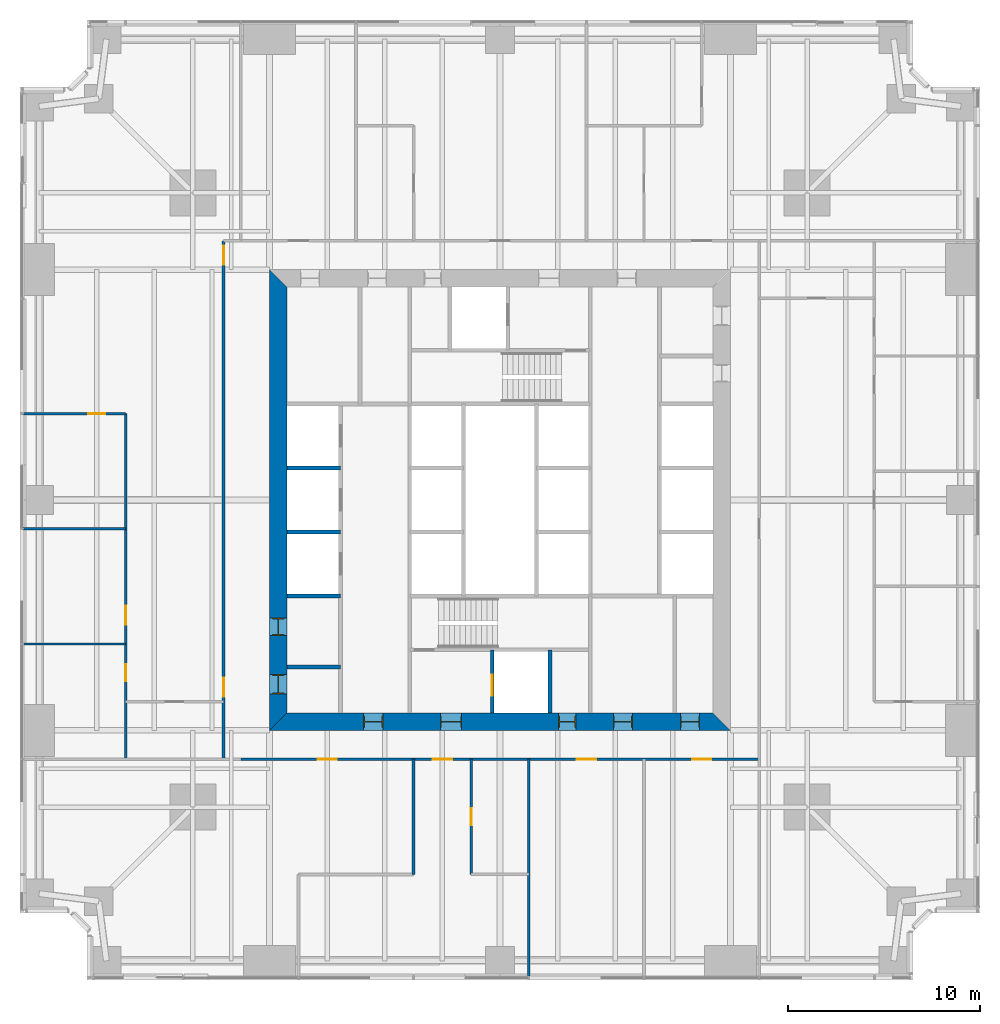
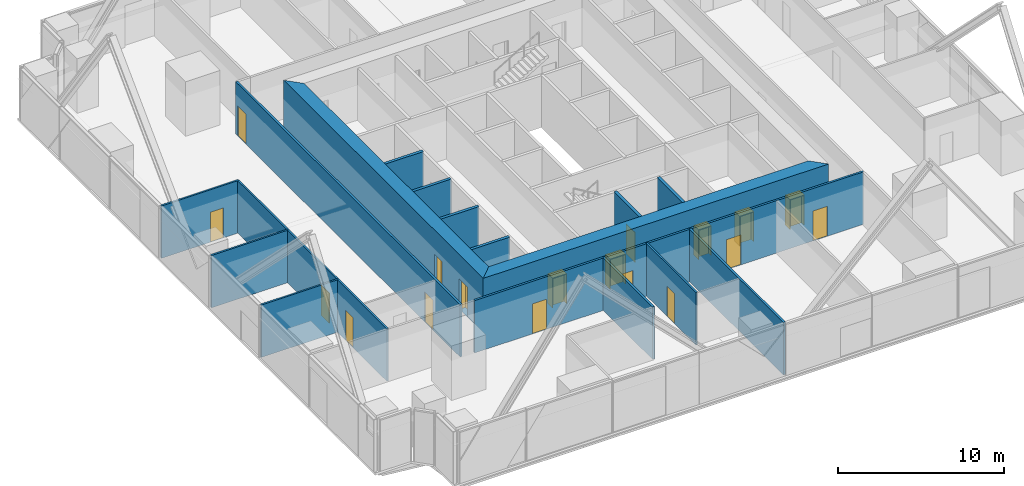
# One storey, part 9 of 13: 18 doors, 17 walls, 18 openings.
"""IFC4 building model written with IfcOpenShell, lengths in metres."""

from ifc_helpers import new_model, si_unit, direction, frame, frame_2d, origin, place, context, subcontext, project, spatial, polyline, rectangle, outline, extrude, material, layer, layer_set, type_object, element, fill, save


model = new_model("IFC4")

# Units and contexts
model_context = context("Model", 3, precision=1e-05, world=origin(), true_north=direction((0.0, 1.0)))
body_context = subcontext(model_context, "Body", "Model", "MODEL_VIEW")
ifc_project = project(units=[si_unit("LENGTHUNIT", "METRE"), si_unit("AREAUNIT", "SQUARE_METRE"), si_unit("VOLUMEUNIT", "CUBIC_METRE"), si_unit("PLANEANGLEUNIT", "RADIAN"), si_unit("MASSUNIT", "GRAM", prefix="KILO")], contexts=[model_context])

# Site, building, storey
site_placement = place(None, origin())
site = spatial("IfcSite", under=ifc_project, at=site_placement, CompositionType="ELEMENT")
building_placement = place(site_placement, origin())
building = spatial("IfcBuilding", under=site, at=building_placement, Name="Fenwick Lantern Interchange", CompositionType="ELEMENT")
storey_placement = place(building_placement, frame((0.0, 0.0, 43.0)))
storey = spatial("IfcBuildingStorey", under=building, at=storey_placement, Name="L09", CompositionType="ELEMENT", Elevation=43.0)

# Walls
ifc_material_1 = material(Name="Concrete masonry ASTM C90 Grade N", Category="masonry")
ifc_layer_1 = layer(ifc_material_1, 0.199951171875)
ifc_layer_set_1 = layer_set([ifc_layer_1], Name="Concrete masonry ASTM C90 Grade N")
wall_type_1 = type_object("IfcWallType", Name="CORE PARTITION 200", PredefinedType="PARTITIONING", material=ifc_layer_set_1)
for number, where, z_axis, x_axis, name in (
    (1, (13.89990234375, 20.0, 0.0), (0.0, 0.0, 1.0), (1.0, 0.0, 0.0), "L09/W/CORES/c2"),
    (2, (13.89990234375, 23.333251953125, 0.0), (0.0, 0.0, 1.0), (1.0, 0.0, 0.0), "L09/W/CORES/d1"),
    (3, (13.89990234375, 26.666748046875, 0.0), (0.0, 0.0, 1.0), (1.0, 0.0, 0.0), "L09/W/CORES/d2"),
):
    element("IfcWall", number, at=place(storey_placement, frame(where, z_axis=z_axis, x_axis=x_axis)), inside=storey, type_object=wall_type_1, Name=name, PredefinedType="PARTITIONING", context=body_context, shape_type="SweptSolid", body=[
        extrude(rectangle(XDim=2.800048828125, YDim=0.199951171875, at=frame_2d((1.39990234375, 0.0))), origin(), (0.0, 0.0, 1.0), 3.800048828125),
    ])

# Wall, opening, door
wall_1_placement = place(storey_placement, frame((24.60009765625, 13.89990234375, 0.0), z_axis=(0.0, 0.0, 1.0), x_axis=(0.0, 1.0, 0.0)))
wall_1 = element("IfcWall", 4, at=wall_1_placement, inside=storey, type_object=wall_type_1, Name="L09/W/CORES/h1", PredefinedType="PARTITIONING", context=body_context, shape_type="SweptSolid", body=[
    extrude(rectangle(XDim=3.300048828125, YDim=0.199951171875, at=frame_2d((1.64990234375, 0.0))), origin(), (0.0, 0.0, 1.0), 3.800048828125),
])
opening_1_placement = place(wall_1_placement, frame((0.89990234375, 0.0, 0.0)))
opening_1 = element("IfcOpeningElement", 5, at=opening_1_placement, cuts=wall_1, Name="Opening LD-FL1", PredefinedType="OPENING", context=body_context, shape_type="SweptSolid", body=[
    extrude(rectangle(XDim=1.10009765625, YDim=2.199951171875, at=frame_2d((0.550048828125, 1.10009765625))), frame((0.0, 0.10986328125, 0.0), z_axis=(0.0, -1.0, 0.0), x_axis=(1.0, 0.0, 0.0)), (0.0, 0.0, 1.0), 0.219970703125),
])
ifc_material_2 = material(Name="Steel door and frame", Category="steel")
door_type_1 = type_object("IfcDoorType", Name="LIFT LANDING DOOR 1100 X 2200", OperationType="DOUBLE_DOOR_SLIDING", PredefinedType="DOOR", material=ifc_material_2)
door_1_placement = place(opening_1_placement, origin())
door_1 = element("IfcDoor", 6, at=door_1_placement, inside=storey, type_object=door_type_1, Name="Lift landing door FL1", OperationType="DOUBLE_DOOR_SLIDING", OverallHeight=2.199951171875, OverallWidth=1.10009765625, PredefinedType="DOOR", context=body_context, shape_type="SweptSolid", body=[
    extrude(rectangle(XDim=1.10009765625, YDim=2.199951171875, at=frame_2d((0.550048828125, 1.10009765625))), frame((0.0, 0.02490234375, 0.0), z_axis=(0.0, -1.0, 0.0), x_axis=(1.0, 0.0, 0.0)), (0.0, 0.0, 1.0), 0.050048828125),
])
fill(opening_1, door_1)

# Walls
wall_2_placement = place(storey_placement, frame((27.60009765625, 13.89990234375, 0.0), z_axis=(0.0, 0.0, 1.0), x_axis=(0.0, 1.0, 0.0)))
element("IfcWall", 7, at=wall_2_placement, inside=storey, type_object=wall_type_1, Name="L09/W/CORES/h2", PredefinedType="PARTITIONING", context=body_context, shape_type="SweptSolid", body=[
    extrude(rectangle(XDim=3.300048828125, YDim=0.199951171875, at=frame_2d((1.64990234375, 0.0))), origin(), (0.0, 0.0, 1.0), 3.800048828125),
])
wall_3_placement = place(storey_placement, frame((13.89990234375, 16.300048828125, 0.0), z_axis=(0.0, 0.0, 1.0), x_axis=(1.0, 0.0, 0.0)))
element("IfcWall", 8, at=wall_3_placement, inside=storey, type_object=wall_type_1, Name="L09/W/CORES/p1", PredefinedType="PARTITIONING", context=body_context, shape_type="SweptSolid", body=[
    extrude(rectangle(XDim=2.800048828125, YDim=0.199951171875, at=frame_2d((1.39990234375, 0.0))), origin(), (0.0, 0.0, 1.0), 3.800048828125),
])

# Wall, openings, doors
ifc_material_3 = material(Name="Concrete f'c 70 MPa", Category="concrete")
ifc_layer_2 = layer(ifc_material_3, 0.89990234375)
ifc_layer_set_2 = layer_set([ifc_layer_2], Name="CORE WALL 900")
wall_type_2 = type_object("IfcWallType", Name="CORE WALL 900", PredefinedType="SHEAR", material=ifc_layer_set_2)
wall_4_placement = place(storey_placement, frame((13.0, 13.449951171875, 0.0), z_axis=(0.0, 0.0, 1.0), x_axis=(1.0, 0.0, 0.0)))
wall_4 = element("IfcWall", 9, at=wall_4_placement, inside=storey, type_object=wall_type_2, Name="L09/CORE/S", PredefinedType="SHEAR", context=body_context, shape_type="SweptSolid", body=[
    extrude(outline(polyline([(0.0, -0.449951171875), (24.0, -0.449951171875), (23.10009765625, 0.449951171875), (0.89990234375, 0.449951171875), (0.0, -0.449951171875)])), origin(), (0.0, 0.0, 1.0), 4.0),
])
opening_2_placement = place(wall_4_placement, frame((4.89990234375, 0.0, 0.0)))
opening_2 = element("IfcOpeningElement", 10, at=opening_2_placement, cuts=wall_4, Name="Opening L09-D001", PredefinedType="OPENING", context=body_context, shape_type="SweptSolid", body=[
    extrude(rectangle(XDim=1.0, YDim=2.199951171875, at=frame_2d((0.5, 1.10009765625))), frame((0.0, 0.4599609375, 0.0), z_axis=(0.0, -1.0, 0.0), x_axis=(1.0, 0.0, 0.0)), (0.0, 0.0, 1.0), 0.919921875),
])
opening_3_placement = place(wall_4_placement, frame((8.89990234375, 0.0, 0.0)))
opening_3 = element("IfcOpeningElement", 11, at=opening_3_placement, cuts=wall_4, Name="Opening L09-D002", PredefinedType="OPENING", context=body_context, shape_type="SweptSolid", body=[
    extrude(rectangle(XDim=1.10009765625, YDim=2.199951171875, at=frame_2d((0.550048828125, 1.10009765625))), frame((0.0, 0.4599609375, 0.0), z_axis=(0.0, -1.0, 0.0), x_axis=(1.0, 0.0, 0.0)), (0.0, 0.0, 1.0), 0.919921875),
])
opening_4_placement = place(wall_4_placement, frame((15.050048828125, 0.0, 0.0)))
opening_4 = element("IfcOpeningElement", 12, at=opening_4_placement, cuts=wall_4, Name="Opening L09-D004", PredefinedType="OPENING", context=body_context, shape_type="SweptSolid", body=[
    extrude(rectangle(XDim=0.89990234375, YDim=2.199951171875, at=frame_2d((0.449951171875, 1.10009765625))), frame((0.0, 0.4599609375, 0.0), z_axis=(0.0, -1.0, 0.0), x_axis=(1.0, 0.0, 0.0)), (0.0, 0.0, 1.0), 0.919921875),
])
opening_5_placement = place(wall_4_placement, frame((17.89990234375, 0.0, 0.0)))
opening_5 = element("IfcOpeningElement", 13, at=opening_5_placement, cuts=wall_4, Name="Opening L09-D005", PredefinedType="OPENING", context=body_context, shape_type="SweptSolid", body=[
    extrude(rectangle(XDim=1.0, YDim=2.199951171875, at=frame_2d((0.5, 1.10009765625))), frame((0.0, 0.4599609375, 0.0), z_axis=(0.0, -1.0, 0.0), x_axis=(1.0, 0.0, 0.0)), (0.0, 0.0, 1.0), 0.919921875),
])
opening_6_placement = place(wall_4_placement, frame((21.39990234375, 0.0, 0.0)))
opening_6 = element("IfcOpeningElement", 14, at=opening_6_placement, cuts=wall_4, Name="Opening L09-D006", PredefinedType="OPENING", context=body_context, shape_type="SweptSolid", body=[
    extrude(rectangle(XDim=1.0, YDim=2.199951171875, at=frame_2d((0.5, 1.10009765625))), frame((0.0, 0.4599609375, 0.0), z_axis=(0.0, -1.0, 0.0), x_axis=(1.0, 0.0, 0.0)), (0.0, 0.0, 1.0), 0.919921875),
])
door_type_2 = type_object("IfcDoorType", Name="CORE LOBBY DOOR 1000 X 2200", OperationType="SINGLE_SWING_LEFT", PredefinedType="DOOR", material=ifc_material_2)
door_2_placement = place(opening_2_placement, origin())
door_2 = element("IfcDoor", 15, at=door_2_placement, inside=storey, type_object=door_type_2, Name="Core lobby door", OperationType="SINGLE_SWING_LEFT", OverallHeight=2.199951171875, OverallWidth=1.0, PredefinedType="DOOR", context=body_context, shape_type="SweptSolid", body=[
    extrude(rectangle(XDim=1.0, YDim=2.199951171875, at=frame_2d((0.5, 1.10009765625))), frame((0.0, 0.02490234375, 0.0), z_axis=(0.0, -1.0, 0.0), x_axis=(1.0, 0.0, 0.0)), (0.0, 0.0, 1.0), 0.050048828125),
    extrude(outline(polyline([(0.0, 0.0), (0.0400390625, 0.0), (0.0400390625, 2.159912109375), (0.9599609375, 2.159912109375), (0.9599609375, 0.0), (1.0, 0.0), (1.0, 2.199951171875), (0.0, 2.199951171875), (0.0, 0.0)])), frame((0.0, 0.300048828125, 0.0), z_axis=(0.0, -1.0, 0.0), x_axis=(1.0, 0.0, 0.0)), (0.0, 0.0, 1.0), 0.60009765625),
])
fill(opening_2, door_2)
door_type_3 = type_object("IfcDoorType", Name="FIRE LOBBY DOOR 1100 X 2200", OperationType="SINGLE_SWING_LEFT", PredefinedType="DOOR", material=ifc_material_2)
door_3_placement = place(opening_3_placement, origin())
door_3 = element("IfcDoor", 16, at=door_3_placement, inside=storey, type_object=door_type_3, Name="Fire lobby door", OperationType="SINGLE_SWING_LEFT", OverallHeight=2.199951171875, OverallWidth=1.10009765625, PredefinedType="DOOR", context=body_context, shape_type="SweptSolid", body=[
    extrude(rectangle(XDim=1.10009765625, YDim=2.199951171875, at=frame_2d((0.550048828125, 1.10009765625))), frame((0.0, 0.02490234375, 0.0), z_axis=(0.0, -1.0, 0.0), x_axis=(1.0, 0.0, 0.0)), (0.0, 0.0, 1.0), 0.050048828125),
    extrude(outline(polyline([(0.0, 0.0), (0.0400390625, 0.0), (0.0400390625, 2.159912109375), (1.06005859375, 2.159912109375), (1.06005859375, 0.0), (1.10009765625, 0.0), (1.10009765625, 2.199951171875), (0.0, 2.199951171875), (0.0, 0.0)])), frame((0.0, 0.300048828125, 0.0), z_axis=(0.0, -1.0, 0.0), x_axis=(1.0, 0.0, 0.0)), (0.0, 0.0, 1.0), 0.60009765625),
])
fill(opening_3, door_3)
door_type_4 = type_object("IfcDoorType", Name="SERVICE DOOR 900 X 2200", OperationType="SINGLE_SWING_LEFT", PredefinedType="DOOR", material=ifc_material_2)
door_4_placement = place(opening_4_placement, origin())
door_4 = element("IfcDoor", 17, at=door_4_placement, inside=storey, type_object=door_type_4, Name="Service door", OperationType="SINGLE_SWING_LEFT", OverallHeight=2.199951171875, OverallWidth=0.89990234375, PredefinedType="DOOR", context=body_context, shape_type="SweptSolid", body=[
    extrude(rectangle(XDim=0.89990234375, YDim=2.199951171875, at=frame_2d((0.449951171875, 1.10009765625))), frame((0.0, 0.02490234375, 0.0), z_axis=(0.0, -1.0, 0.0), x_axis=(1.0, 0.0, 0.0)), (0.0, 0.0, 1.0), 0.050048828125),
    extrude(outline(polyline([(0.0, 0.0), (0.0400390625, 0.0), (0.0400390625, 2.159912109375), (0.85986328125, 2.159912109375), (0.85986328125, 0.0), (0.89990234375, 0.0), (0.89990234375, 2.199951171875), (0.0, 2.199951171875), (0.0, 0.0)])), frame((0.0, 0.300048828125, 0.0), z_axis=(0.0, -1.0, 0.0), x_axis=(1.0, 0.0, 0.0)), (0.0, 0.0, 1.0), 0.60009765625),
])
fill(opening_4, door_4)
ifc_material_4 = material(Name="Hardwood door and steel frame", Category="steel")
door_type_5 = type_object("IfcDoorType", Name="WC DOOR 1000 X 2200", OperationType="SINGLE_SWING_LEFT", PredefinedType="DOOR", material=ifc_material_4)
door_5_placement = place(opening_5_placement, origin())
door_5 = element("IfcDoor", 18, at=door_5_placement, inside=storey, type_object=door_type_5, Name="Wc door", OperationType="SINGLE_SWING_LEFT", OverallHeight=2.199951171875, OverallWidth=1.0, PredefinedType="DOOR", context=body_context, shape_type="SweptSolid", body=[
    extrude(rectangle(XDim=1.0, YDim=2.199951171875, at=frame_2d((0.5, 1.10009765625))), frame((0.0, 0.02490234375, 0.0), z_axis=(0.0, -1.0, 0.0), x_axis=(1.0, 0.0, 0.0)), (0.0, 0.0, 1.0), 0.050048828125),
    extrude(outline(polyline([(0.0, 0.0), (0.0400390625, 0.0), (0.0400390625, 2.159912109375), (0.9599609375, 2.159912109375), (0.9599609375, 0.0), (1.0, 0.0), (1.0, 2.199951171875), (0.0, 2.199951171875), (0.0, 0.0)])), frame((0.0, 0.300048828125, 0.0), z_axis=(0.0, -1.0, 0.0), x_axis=(1.0, 0.0, 0.0)), (0.0, 0.0, 1.0), 0.60009765625),
])
fill(opening_5, door_5)
door_6_placement = place(opening_6_placement, origin())
door_6 = element("IfcDoor", 19, at=door_6_placement, inside=storey, type_object=door_type_5, Name="Wc door", OperationType="SINGLE_SWING_LEFT", OverallHeight=2.199951171875, OverallWidth=1.0, PredefinedType="DOOR", context=body_context, shape_type="SweptSolid", body=[
    extrude(rectangle(XDim=1.0, YDim=2.199951171875, at=frame_2d((0.5, 1.10009765625))), frame((0.0, 0.02490234375, 0.0), z_axis=(0.0, -1.0, 0.0), x_axis=(1.0, 0.0, 0.0)), (0.0, 0.0, 1.0), 0.050048828125),
    extrude(outline(polyline([(0.0, 0.0), (0.0400390625, 0.0), (0.0400390625, 2.159912109375), (0.9599609375, 2.159912109375), (0.9599609375, 0.0), (1.0, 0.0), (1.0, 2.199951171875), (0.0, 2.199951171875), (0.0, 0.0)])), frame((0.0, 0.300048828125, 0.0), z_axis=(0.0, -1.0, 0.0), x_axis=(1.0, 0.0, 0.0)), (0.0, 0.0, 1.0), 0.60009765625),
])
fill(opening_6, door_6)

wall_5_placement = place(storey_placement, frame((13.449951171875, 36.10009765625, 0.0), z_axis=(0.0, 0.0, 1.0), x_axis=(0.0, -1.0, 0.0)))
wall_5 = element("IfcWall", 20, at=wall_5_placement, inside=storey, type_object=wall_type_2, Name="L09/CORE/W", PredefinedType="SHEAR", context=body_context, shape_type="SweptSolid", body=[
    extrude(outline(polyline([(-0.89990234375, -0.449951171875), (23.10009765625, -0.449951171875), (22.199951171875, 0.449951171875), (0.0, 0.449951171875), (-0.89990234375, -0.449951171875)])), origin(), (0.0, 0.0, 1.0), 4.0),
])
opening_7_placement = place(wall_5_placement, frame((20.199951171875, 0.0, 0.0)))
opening_7 = element("IfcOpeningElement", 21, at=opening_7_placement, cuts=wall_5, Name="Opening L09-D007", PredefinedType="OPENING", context=body_context, shape_type="SweptSolid", body=[
    extrude(rectangle(XDim=1.0, YDim=2.199951171875, at=frame_2d((0.5, 1.10009765625))), frame((0.0, 0.4599609375, 0.0), z_axis=(0.0, -1.0, 0.0), x_axis=(1.0, 0.0, 0.0)), (0.0, 0.0, 1.0), 0.919921875),
])
opening_8_placement = place(wall_5_placement, frame((17.25, 0.0, 0.0)))
opening_8 = element("IfcOpeningElement", 22, at=opening_8_placement, cuts=wall_5, Name="Opening L09-D008", PredefinedType="OPENING", context=body_context, shape_type="SweptSolid", body=[
    extrude(rectangle(XDim=0.89990234375, YDim=2.199951171875, at=frame_2d((0.449951171875, 1.10009765625))), frame((0.0, 0.4599609375, 0.0), z_axis=(0.0, -1.0, 0.0), x_axis=(1.0, 0.0, 0.0)), (0.0, 0.0, 1.0), 0.919921875),
])
door_7_placement = place(opening_8_placement, origin())
door_7 = element("IfcDoor", 23, at=door_7_placement, inside=storey, type_object=door_type_4, Name="Service door", OperationType="SINGLE_SWING_LEFT", OverallHeight=2.199951171875, OverallWidth=0.89990234375, PredefinedType="DOOR", context=body_context, shape_type="SweptSolid", body=[
    extrude(rectangle(XDim=0.89990234375, YDim=2.199951171875, at=frame_2d((0.449951171875, 1.10009765625))), frame((0.0, 0.02490234375, 0.0), z_axis=(0.0, -1.0, 0.0), x_axis=(1.0, 0.0, 0.0)), (0.0, 0.0, 1.0), 0.050048828125),
    extrude(outline(polyline([(0.0, 0.0), (0.0400390625, 0.0), (0.0400390625, 2.159912109375), (0.85986328125, 2.159912109375), (0.85986328125, 0.0), (0.89990234375, 0.0), (0.89990234375, 2.199951171875), (0.0, 2.199951171875), (0.0, 0.0)])), frame((0.0, 0.300048828125, 0.0), z_axis=(0.0, -1.0, 0.0), x_axis=(1.0, 0.0, 0.0)), (0.0, 0.0, 1.0), 0.60009765625),
])
fill(opening_8, door_7)
door_8_placement = place(opening_7_placement, origin())
door_8 = element("IfcDoor", 24, at=door_8_placement, inside=storey, type_object=door_type_5, Name="Wc door", OperationType="SINGLE_SWING_LEFT", OverallHeight=2.199951171875, OverallWidth=1.0, PredefinedType="DOOR", context=body_context, shape_type="SweptSolid", body=[
    extrude(rectangle(XDim=1.0, YDim=2.199951171875, at=frame_2d((0.5, 1.10009765625))), frame((0.0, 0.02490234375, 0.0), z_axis=(0.0, -1.0, 0.0), x_axis=(1.0, 0.0, 0.0)), (0.0, 0.0, 1.0), 0.050048828125),
    extrude(outline(polyline([(0.0, 0.0), (0.0400390625, 0.0), (0.0400390625, 2.159912109375), (0.9599609375, 2.159912109375), (0.9599609375, 0.0), (1.0, 0.0), (1.0, 2.199951171875), (0.0, 2.199951171875), (0.0, 0.0)])), frame((0.0, 0.300048828125, 0.0), z_axis=(0.0, -1.0, 0.0), x_axis=(1.0, 0.0, 0.0)), (0.0, 0.0, 1.0), 0.60009765625),
])
fill(opening_7, door_8)

ifc_material_5 = material(Name="Gypsum board on steel studs, 1 hour", Category="steel")
ifc_layer_3 = layer(ifc_material_5, 0.14990234375)
ifc_layer_set_3 = layer_set([ifc_layer_3], Name="CORRIDOR WALL 150")
wall_type_3 = type_object("IfcWallType", Name="CORRIDOR WALL 150", PredefinedType="PARTITIONING", material=ifc_layer_set_3)
wall_6_placement = place(storey_placement, frame((11.5, 11.5, 0.0), z_axis=(0.0, 0.0, 1.0), x_axis=(1.0, 0.0, 0.0)))
wall_6 = element("IfcWall", 25, at=wall_6_placement, inside=storey, type_object=wall_type_3, Name="L09/W/OFF/S/CW", PredefinedType="PARTITIONING", context=body_context, shape_type="SweptSolid", body=[
    extrude(rectangle(XDim=27.0, YDim=0.14990234375, at=frame_2d((13.5, 0.0))), origin(), (0.0, 0.0, 1.0), 3.85009765625),
])
opening_9_placement = place(wall_6_placement, frame((4.0, 0.0, 0.0)))
opening_9 = element("IfcOpeningElement", 26, at=opening_9_placement, cuts=wall_6, Name="Opening L09-D017", PredefinedType="OPENING", context=body_context, shape_type="SweptSolid", body=[
    extrude(rectangle(XDim=1.0, YDim=2.199951171875, at=frame_2d((0.5, 1.10009765625))), frame((0.0, 0.0849609375, 0.0), z_axis=(0.0, -1.0, 0.0), x_axis=(1.0, 0.0, 0.0)), (0.0, 0.0, 1.0), 0.169921875),
])
opening_10_placement = place(wall_6_placement, frame((10.0, 0.0, 0.0)))
opening_10 = element("IfcOpeningElement", 27, at=opening_10_placement, cuts=wall_6, Name="Opening L09-D018", PredefinedType="OPENING", context=body_context, shape_type="SweptSolid", body=[
    extrude(rectangle(XDim=1.0, YDim=2.199951171875, at=frame_2d((0.5, 1.10009765625))), frame((0.0, 0.0849609375, 0.0), z_axis=(0.0, -1.0, 0.0), x_axis=(1.0, 0.0, 0.0)), (0.0, 0.0, 1.0), 0.169921875),
])
opening_11_placement = place(wall_6_placement, frame((17.5, 0.0, 0.0)))
opening_11 = element("IfcOpeningElement", 28, at=opening_11_placement, cuts=wall_6, Name="Opening L09-D020", PredefinedType="OPENING", context=body_context, shape_type="SweptSolid", body=[
    extrude(rectangle(XDim=1.0, YDim=2.199951171875, at=frame_2d((0.5, 1.10009765625))), frame((0.0, 0.0849609375, 0.0), z_axis=(0.0, -1.0, 0.0), x_axis=(1.0, 0.0, 0.0)), (0.0, 0.0, 1.0), 0.169921875),
])
opening_12_placement = place(wall_6_placement, frame((23.5, 0.0, 0.0)))
opening_12 = element("IfcOpeningElement", 29, at=opening_12_placement, cuts=wall_6, Name="Opening L09-D021", PredefinedType="OPENING", context=body_context, shape_type="SweptSolid", body=[
    extrude(rectangle(XDim=1.0, YDim=2.199951171875, at=frame_2d((0.5, 1.10009765625))), frame((0.0, 0.0849609375, 0.0), z_axis=(0.0, -1.0, 0.0), x_axis=(1.0, 0.0, 0.0)), (0.0, 0.0, 1.0), 0.169921875),
])
door_type_6 = type_object("IfcDoorType", Name="SUITE ENTRANCE DOOR 1000 X 2200", OperationType="SINGLE_SWING_LEFT", PredefinedType="DOOR", material=ifc_material_2)
door_9_placement = place(opening_9_placement, frame((1.0, 0.0, 0.0), z_axis=(0.0, 0.0, 1.0), x_axis=(-1.0, 0.0, 0.0)))
door_9 = element("IfcDoor", 30, at=door_9_placement, inside=storey, type_object=door_type_6, Name="Suite entrance door", OperationType="SINGLE_SWING_LEFT", OverallHeight=2.199951171875, OverallWidth=1.0, PredefinedType="DOOR", context=body_context, shape_type="SweptSolid", body=[
    extrude(rectangle(XDim=1.0, YDim=2.199951171875, at=frame_2d((0.5, 1.10009765625))), frame((0.0, 0.02490234375, 0.0), z_axis=(0.0, -1.0, 0.0), x_axis=(1.0, 0.0, 0.0)), (0.0, 0.0, 1.0), 0.050048828125),
])
fill(opening_9, door_9)
door_10_placement = place(opening_10_placement, frame((1.0, 0.0, 0.0), z_axis=(0.0, 0.0, 1.0), x_axis=(-1.0, 0.0, 0.0)))
door_10 = element("IfcDoor", 31, at=door_10_placement, inside=storey, type_object=door_type_6, Name="Suite entrance door", OperationType="SINGLE_SWING_RIGHT", OverallHeight=2.199951171875, OverallWidth=1.0, PredefinedType="DOOR", context=body_context, shape_type="SweptSolid", body=[
    extrude(rectangle(XDim=1.0, YDim=2.199951171875, at=frame_2d((0.5, 1.10009765625))), frame((0.0, 0.02490234375, 0.0), z_axis=(0.0, -1.0, 0.0), x_axis=(1.0, 0.0, 0.0)), (0.0, 0.0, 1.0), 0.050048828125),
])
fill(opening_10, door_10)
door_11_placement = place(opening_11_placement, frame((1.0, 0.0, 0.0), z_axis=(0.0, 0.0, 1.0), x_axis=(-1.0, 0.0, 0.0)))
door_11 = element("IfcDoor", 32, at=door_11_placement, inside=storey, type_object=door_type_6, Name="Suite entrance door", OperationType="SINGLE_SWING_RIGHT", OverallHeight=2.199951171875, OverallWidth=1.0, PredefinedType="DOOR", context=body_context, shape_type="SweptSolid", body=[
    extrude(rectangle(XDim=1.0, YDim=2.199951171875, at=frame_2d((0.5, 1.10009765625))), frame((0.0, 0.02490234375, 0.0), z_axis=(0.0, -1.0, 0.0), x_axis=(1.0, 0.0, 0.0)), (0.0, 0.0, 1.0), 0.050048828125),
])
fill(opening_11, door_11)
door_12_placement = place(opening_12_placement, frame((1.0, 0.0, 0.0), z_axis=(0.0, 0.0, 1.0), x_axis=(-1.0, 0.0, 0.0)))
door_12 = element("IfcDoor", 33, at=door_12_placement, inside=storey, type_object=door_type_6, Name="Suite entrance door", OperationType="SINGLE_SWING_RIGHT", OverallHeight=2.199951171875, OverallWidth=1.0, PredefinedType="DOOR", context=body_context, shape_type="SweptSolid", body=[
    extrude(rectangle(XDim=1.0, YDim=2.199951171875, at=frame_2d((0.5, 1.10009765625))), frame((0.0, 0.02490234375, 0.0), z_axis=(0.0, -1.0, 0.0), x_axis=(1.0, 0.0, 0.0)), (0.0, 0.0, 1.0), 0.050048828125),
])
fill(opening_12, door_12)

wall_7_placement = place(storey_placement, frame((10.60009765625, 38.5, 0.0), z_axis=(0.0, 0.0, 1.0), x_axis=(0.0, -1.0, 0.0)))
wall_7 = element("IfcWall", 34, at=wall_7_placement, inside=storey, type_object=wall_type_3, Name="L09/W/OFF/W/CW2", PredefinedType="PARTITIONING", context=body_context, shape_type="SweptSolid", body=[
    extrude(rectangle(XDim=27.0, YDim=0.14990234375, at=frame_2d((13.5, 0.0))), origin(), (0.0, 0.0, 1.0), 3.85009765625),
])
opening_13_placement = place(wall_7_placement, frame((0.25, 0.0, 0.0)))
opening_13 = element("IfcOpeningElement", 35, at=opening_13_placement, cuts=wall_7, Name="Opening L09-D034", PredefinedType="OPENING", context=body_context, shape_type="SweptSolid", body=[
    extrude(rectangle(XDim=1.0, YDim=2.199951171875, at=frame_2d((0.5, 1.10009765625))), frame((0.0, 0.0849609375, 0.0), z_axis=(0.0, -1.0, 0.0), x_axis=(1.0, 0.0, 0.0)), (0.0, 0.0, 1.0), 0.169921875),
])
opening_14_placement = place(wall_7_placement, frame((22.75, 0.0, 0.0)))
opening_14 = element("IfcOpeningElement", 36, at=opening_14_placement, cuts=wall_7, Name="Opening L09-D035", PredefinedType="OPENING", context=body_context, shape_type="SweptSolid", body=[
    extrude(rectangle(XDim=1.0, YDim=2.199951171875, at=frame_2d((0.5, 1.10009765625))), frame((0.0, 0.0849609375, 0.0), z_axis=(0.0, -1.0, 0.0), x_axis=(1.0, 0.0, 0.0)), (0.0, 0.0, 1.0), 0.169921875),
])
door_13_placement = place(opening_13_placement, origin())
door_13 = element("IfcDoor", 37, at=door_13_placement, inside=storey, type_object=door_type_6, Name="Suite entrance door", OperationType="SINGLE_SWING_LEFT", OverallHeight=2.199951171875, OverallWidth=1.0, PredefinedType="DOOR", context=body_context, shape_type="SweptSolid", body=[
    extrude(rectangle(XDim=1.0, YDim=2.199951171875, at=frame_2d((0.5, 1.10009765625))), frame((0.0, 0.02490234375, 0.0), z_axis=(0.0, -1.0, 0.0), x_axis=(1.0, 0.0, 0.0)), (0.0, 0.0, 1.0), 0.050048828125),
])
fill(opening_13, door_13)
door_14_placement = place(opening_14_placement, origin())
door_14 = element("IfcDoor", 38, at=door_14_placement, inside=storey, type_object=door_type_6, Name="Suite entrance door", OperationType="SINGLE_SWING_RIGHT", OverallHeight=2.199951171875, OverallWidth=1.0, PredefinedType="DOOR", context=body_context, shape_type="SweptSolid", body=[
    extrude(rectangle(XDim=1.0, YDim=2.199951171875, at=frame_2d((0.5, 1.10009765625))), frame((0.0, 0.02490234375, 0.0), z_axis=(0.0, -1.0, 0.0), x_axis=(1.0, 0.0, 0.0)), (0.0, 0.0, 1.0), 0.050048828125),
])
fill(opening_14, door_14)

# Wall, opening, door
ifc_material_6 = material(Name="Gypsum board on steel studs, acoustic", Category="steel")
ifc_layer_4 = layer(ifc_material_6, 0.125)
ifc_layer_set_4 = layer_set([ifc_layer_4], Name="OFFICE PARTITION 125")
wall_type_4 = type_object("IfcWallType", Name="OFFICE PARTITION 125", PredefinedType="PARTITIONING", material=ifc_layer_set_4)
wall_8_placement = place(storey_placement, frame((23.5, 5.5, 0.0), z_axis=(0.0, 0.0, 1.0), x_axis=(0.0, 1.0, 0.0)))
wall_8 = element("IfcWall", 39, at=wall_8_placement, inside=storey, type_object=wall_type_4, Name="L09/W/OFF/S/X235-1", PredefinedType="PARTITIONING", context=body_context, shape_type="SweptSolid", body=[
    extrude(rectangle(XDim=6.0, YDim=0.125, at=frame_2d((3.0, 0.0))), origin(), (0.0, 0.0, 1.0), 3.85009765625),
])
opening_15_placement = place(wall_8_placement, frame((2.550048828125, 0.0, 0.0)))
opening_15 = element("IfcOpeningElement", 40, at=opening_15_placement, cuts=wall_8, Name="Opening L09-D019", PredefinedType="OPENING", context=body_context, shape_type="SweptSolid", body=[
    extrude(rectangle(XDim=0.89990234375, YDim=2.199951171875, at=frame_2d((0.449951171875, 1.10009765625))), frame((0.0, 0.072509765625, 0.0), z_axis=(0.0, -1.0, 0.0), x_axis=(1.0, 0.0, 0.0)), (0.0, 0.0, 1.0), 0.14501953125),
])
door_type_7 = type_object("IfcDoorType", Name="OFFICE DOOR 900 X 2200", OperationType="SINGLE_SWING_LEFT", PredefinedType="DOOR", material=ifc_material_4)
door_15_placement = place(opening_15_placement, frame((0.89990234375, 0.0, 0.0), z_axis=(0.0, 0.0, 1.0), x_axis=(-1.0, 0.0, 0.0)))
door_15 = element("IfcDoor", 41, at=door_15_placement, inside=storey, type_object=door_type_7, Name="Office door", OperationType="SINGLE_SWING_RIGHT", OverallHeight=2.199951171875, OverallWidth=0.89990234375, PredefinedType="DOOR", context=body_context, shape_type="SweptSolid", body=[
    extrude(rectangle(XDim=0.89990234375, YDim=2.199951171875, at=frame_2d((0.449951171875, 1.10009765625))), frame((0.0, 0.02490234375, 0.0), z_axis=(0.0, -1.0, 0.0), x_axis=(1.0, 0.0, 0.0)), (0.0, 0.0, 1.0), 0.050048828125),
])
fill(opening_15, door_15)

wall_9_placement = place(storey_placement, frame((0.14990234375, 29.5, 0.0), z_axis=(0.0, 0.0, 1.0), x_axis=(1.0, 0.0, 0.0)))
wall_9 = element("IfcWall", 42, at=wall_9_placement, inside=storey, type_object=wall_type_4, Name="L09/W/OFF/W/X205-1", PredefinedType="PARTITIONING", context=body_context, shape_type="SweptSolid", body=[
    extrude(rectangle(XDim=5.35009765625, YDim=0.125, at=frame_2d((2.675048828125, 0.0))), origin(), (0.0, 0.0, 1.0), 3.85009765625),
])
opening_16_placement = place(wall_9_placement, frame((3.39990234375, 0.0, 0.0)))
opening_16 = element("IfcOpeningElement", 43, at=opening_16_placement, cuts=wall_9, Name="Opening L09-D036", PredefinedType="OPENING", context=body_context, shape_type="SweptSolid", body=[
    extrude(rectangle(XDim=0.89990234375, YDim=2.199951171875, at=frame_2d((0.449951171875, 1.10009765625))), frame((0.0, 0.072509765625, 0.0), z_axis=(0.0, -1.0, 0.0), x_axis=(1.0, 0.0, 0.0)), (0.0, 0.0, 1.0), 0.14501953125),
])
door_16_placement = place(opening_16_placement, frame((0.89990234375, 0.0, 0.0), z_axis=(0.0, 0.0, 1.0), x_axis=(-1.0, 0.0, 0.0)))
door_16 = element("IfcDoor", 44, at=door_16_placement, inside=storey, type_object=door_type_7, Name="Office door", OperationType="SINGLE_SWING_LEFT", OverallHeight=2.199951171875, OverallWidth=0.89990234375, PredefinedType="DOOR", context=body_context, shape_type="SweptSolid", body=[
    extrude(rectangle(XDim=0.89990234375, YDim=2.199951171875, at=frame_2d((0.449951171875, 1.10009765625))), frame((0.0, 0.02490234375, 0.0), z_axis=(0.0, -1.0, 0.0), x_axis=(1.0, 0.0, 0.0)), (0.0, 0.0, 1.0), 0.050048828125),
])
fill(opening_16, door_16)

# Walls
for number, where, z_axis, x_axis, name in (
    (45, (0.14990234375, 23.5, 0.0), (0.0, 0.0, 1.0), (1.0, 0.0, 0.0), "L09/W/OFF/W/X265-1"),
    (46, (0.14990234375, 17.5, 0.0), (0.0, 0.0, 1.0), (1.0, 0.0, 0.0), "L09/W/OFF/W/X325-1"),
):
    element("IfcWall", number, at=place(storey_placement, frame(where, z_axis=z_axis, x_axis=x_axis)), inside=storey, type_object=wall_type_4, Name=name, PredefinedType="PARTITIONING", context=body_context, shape_type="SweptSolid", body=[
        extrude(rectangle(XDim=5.35009765625, YDim=0.125, at=frame_2d((2.675048828125, 0.0))), origin(), (0.0, 0.0, 1.0), 3.85009765625),
    ])

# Wall, openings, doors
wall_10_placement = place(storey_placement, frame((5.5, 29.5, 0.0), z_axis=(0.0, 0.0, 1.0), x_axis=(0.0, -1.0, 0.0)))
wall_10 = element("IfcWall", 47, at=wall_10_placement, inside=storey, type_object=wall_type_4, Name="L09/W/OFF/W/Y55-1", PredefinedType="PARTITIONING", context=body_context, shape_type="SweptSolid", body=[
    extrude(rectangle(XDim=18.0, YDim=0.125, at=frame_2d((9.0, 0.0))), origin(), (0.0, 0.0, 1.0), 3.85009765625),
])
opening_17_placement = place(wall_10_placement, frame((10.0, 0.0, 0.0)))
opening_17 = element("IfcOpeningElement", 48, at=opening_17_placement, cuts=wall_10, Name="Opening L09-D037", PredefinedType="OPENING", context=body_context, shape_type="SweptSolid", body=[
    extrude(rectangle(XDim=1.0, YDim=2.199951171875, at=frame_2d((0.5, 1.10009765625))), frame((0.0, 0.072509765625, 0.0), z_axis=(0.0, -1.0, 0.0), x_axis=(1.0, 0.0, 0.0)), (0.0, 0.0, 1.0), 0.14501953125),
])
opening_18_placement = place(wall_10_placement, frame((13.050048828125, 0.0, 0.0)))
opening_18 = element("IfcOpeningElement", 49, at=opening_18_placement, cuts=wall_10, Name="Opening L09-D038", PredefinedType="OPENING", context=body_context, shape_type="SweptSolid", body=[
    extrude(rectangle(XDim=0.89990234375, YDim=2.199951171875, at=frame_2d((0.449951171875, 1.10009765625))), frame((0.0, 0.072509765625, 0.0), z_axis=(0.0, -1.0, 0.0), x_axis=(1.0, 0.0, 0.0)), (0.0, 0.0, 1.0), 0.14501953125),
])
door_type_8 = type_object("IfcDoorType", Name="MEETING ROOM DOOR 1000 X 2200", OperationType="SINGLE_SWING_LEFT", PredefinedType="DOOR", material=ifc_material_4)
door_17_placement = place(opening_17_placement, frame((1.0, 0.0, 0.0), z_axis=(0.0, 0.0, 1.0), x_axis=(-1.0, 0.0, 0.0)))
door_17 = element("IfcDoor", 50, at=door_17_placement, inside=storey, type_object=door_type_8, Name="Meeting room door", OperationType="SINGLE_SWING_LEFT", OverallHeight=2.199951171875, OverallWidth=1.0, PredefinedType="DOOR", context=body_context, shape_type="SweptSolid", body=[
    extrude(rectangle(XDim=1.0, YDim=2.199951171875, at=frame_2d((0.5, 1.10009765625))), frame((0.0, 0.02490234375, 0.0), z_axis=(0.0, -1.0, 0.0), x_axis=(1.0, 0.0, 0.0)), (0.0, 0.0, 1.0), 0.050048828125),
])
fill(opening_17, door_17)
door_18_placement = place(opening_18_placement, frame((0.89990234375, 0.0, 0.0), z_axis=(0.0, 0.0, 1.0), x_axis=(-1.0, 0.0, 0.0)))
door_18 = element("IfcDoor", 51, at=door_18_placement, inside=storey, type_object=door_type_7, Name="Office door", OperationType="SINGLE_SWING_RIGHT", OverallHeight=2.199951171875, OverallWidth=0.89990234375, PredefinedType="DOOR", context=body_context, shape_type="SweptSolid", body=[
    extrude(rectangle(XDim=0.89990234375, YDim=2.199951171875, at=frame_2d((0.449951171875, 1.10009765625))), frame((0.0, 0.02490234375, 0.0), z_axis=(0.0, -1.0, 0.0), x_axis=(1.0, 0.0, 0.0)), (0.0, 0.0, 1.0), 0.050048828125),
])
fill(opening_18, door_18)

# Walls
ifc_material_7 = material(Name="Gypsum board on steel studs, 1 hour acoustic", Category="steel")
ifc_layer_5 = layer(ifc_material_7, 0.14990234375)
ifc_layer_set_5 = layer_set([ifc_layer_5], Name="TENANT WALL 150")
wall_type_5 = type_object("IfcWallType", Name="TENANT WALL 150", PredefinedType="PARTITIONING", material=ifc_layer_set_5)
wall_11_placement = place(storey_placement, frame((20.5, 5.5, 0.0), z_axis=(0.0, 0.0, 1.0), x_axis=(0.0, 1.0, 0.0)))
element("IfcWall", 52, at=wall_11_placement, inside=storey, type_object=wall_type_5, Name="L09/W/OFF/S/X205-1", PredefinedType="PARTITIONING", context=body_context, shape_type="SweptSolid", body=[
    extrude(rectangle(XDim=6.0, YDim=0.14990234375, at=frame_2d((3.0, 0.0))), origin(), (0.0, 0.0, 1.0), 3.85009765625),
])
wall_12_placement = place(storey_placement, frame((26.5, 0.14990234375, 0.0), z_axis=(0.0, 0.0, 1.0), x_axis=(0.0, 1.0, 0.0)))
element("IfcWall", 53, at=wall_12_placement, inside=storey, type_object=wall_type_5, Name="L09/W/OFF/S/X265-1", PredefinedType="PARTITIONING", context=body_context, shape_type="SweptSolid", body=[
    extrude(rectangle(XDim=11.35009765625, YDim=0.14990234375, at=frame_2d((5.675048828125, 0.0))), origin(), (0.0, 0.0, 1.0), 3.85009765625),
])

save(model, "model.ifc")
